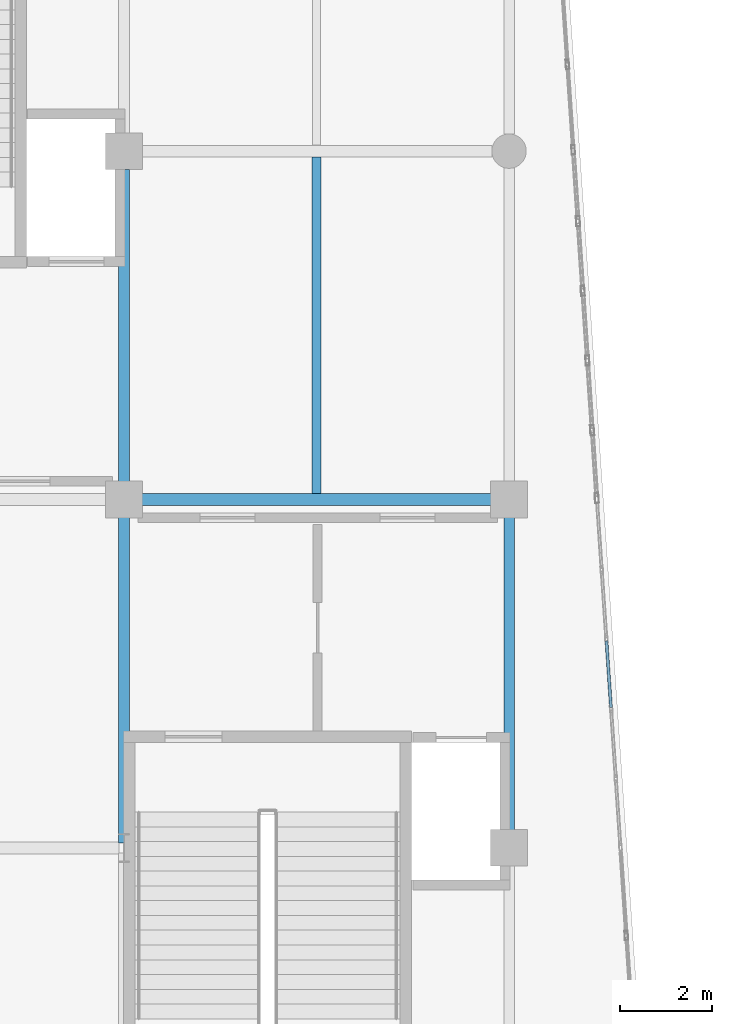
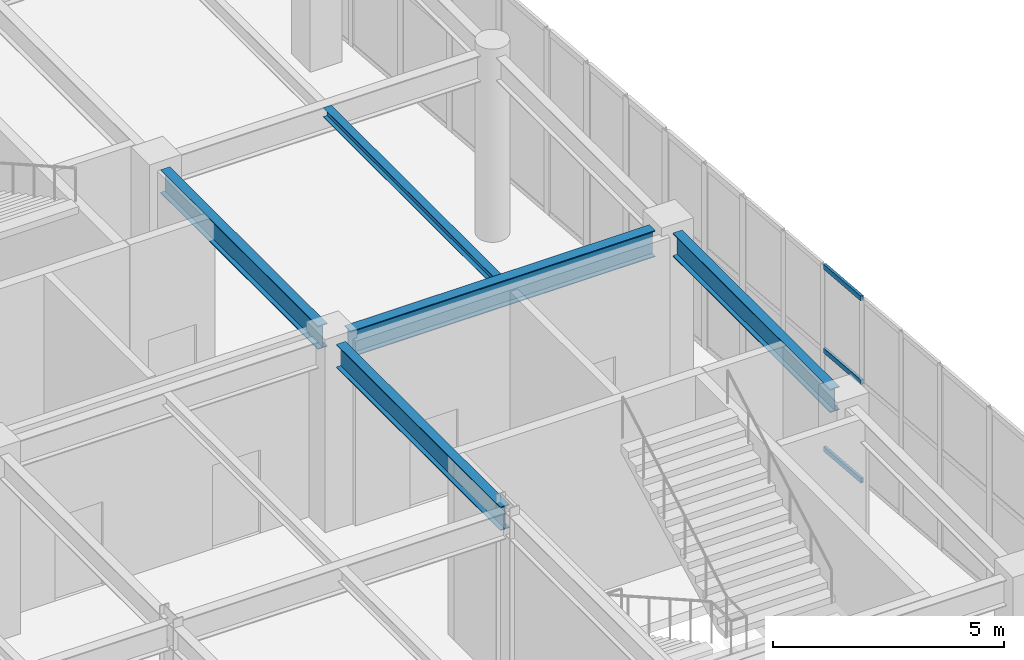
# One storey, part 24 of 128: 5 beams, 3 members, 1 element without a shape of its own.
"""IFC4 building model written with IfcOpenShell, lengths in metres."""

from ifc_helpers import new_model, si_unit, direction, frame, origin, origin_2d, place, context, subcontext, project, spatial, hollow_rectangle, i_section, extrude, material, layer, layer_set, material_profile, profile_set, type_object, element, aggregate, save


model = new_model("IFC4")

# Units and contexts
model_context = context("Model", 3, precision=1e-05, world=origin(), true_north=direction((0.0, 1.0)))
body_context = subcontext(model_context, "Body", "Model", "MODEL_VIEW")
ifc_project = project(units=[si_unit("LENGTHUNIT", "METRE"), si_unit("AREAUNIT", "SQUARE_METRE"), si_unit("VOLUMEUNIT", "CUBIC_METRE"), si_unit("PLANEANGLEUNIT", "RADIAN"), si_unit("MASSUNIT", "GRAM", prefix="KILO")], contexts=[model_context])

# Site, building, storey
site_placement = place(None, origin())
site = spatial("IfcSite", under=ifc_project, at=site_placement, CompositionType="ELEMENT")
building_placement = place(site_placement, origin())
building = spatial("IfcBuilding", under=site, at=building_placement, Name="Xicomal Pleat Aquarium", CompositionType="ELEMENT")
storey_placement = place(building_placement, frame((0.0, 0.0, 5.39990234375)))
storey = spatial("IfcBuildingStorey", under=building, at=storey_placement, Name="L02", CompositionType="ELEMENT", Elevation=5.39990234375)

# Beams
ifc_material_1 = material(Name="Structural steel A992 Gr 50", Category="steel")
ifc_material_profile_1 = material_profile(ifc_material_1, i_section(OverallWidth=0.201904296875, OverallDepth=0.2470703125, WebThickness=0.00732421875, FlangeThickness=0.010986328125, at=origin_2d()), Name="IR 250x49")
ifc_profile_set_1 = profile_set([ifc_material_profile_1], Name="Structural steel A992 Gr 50")
beam_type_1 = type_object("IfcBeamType", Name="BM-STL-IR250", PredefinedType="JOIST", material=ifc_profile_set_1)
beam_1_placement = place(storey_placement, frame((22.800048828125, 60.930908203125, 4.751708984375), z_axis=(0.0, 1.0, 0.0), x_axis=(-1.0, 0.0, 0.0)))
element("IfcBeam", 1, at=beam_1_placement, inside=storey, type_object=beam_type_1, Name="L02 framing beam FBJ-L02-03-J-1", PredefinedType="JOIST", context=body_context, shape_type="SweptSolid", body=[
    extrude(i_section(OverallWidth=0.201904296875, OverallDepth=0.2470703125, WebThickness=0.00732421875, FlangeThickness=0.010986328125, at=origin_2d()), origin(), (0.0, 0.0, 1.0), 7.338134765625),
])
ifc_material_2 = material(Name="Structural steel A992 Gr 50", Category="steel")
ifc_material_profile_2 = material_profile(ifc_material_2, i_section(OverallWidth=0.22998046875, OverallDepth=0.616943359375, WebThickness=0.01318359375, FlangeThickness=0.022216796875, at=origin_2d()), Name="IR 610x140")
ifc_profile_set_2 = profile_set([ifc_material_profile_2], Name="Structural steel A992 Gr 50")
beam_type_2 = type_object("IfcBeamType", Name="BM-STL-IR610", PredefinedType="BEAM", material=ifc_profile_set_2)
beam_2_placement = place(storey_placement, frame((18.60009765625, 53.31005859375, 4.566650390625), z_axis=(0.0, 1.0, 0.0), x_axis=(-1.0, 0.0, 0.0)))
element("IfcBeam", 2, at=beam_2_placement, inside=storey, type_object=beam_type_2, Name="L02 framing beam FGY-L02-03-H-J", PredefinedType="BEAM", context=body_context, shape_type="SweptSolid", body=[
    extrude(i_section(OverallWidth=0.22998046875, OverallDepth=0.616943359375, WebThickness=0.01318359375, FlangeThickness=0.022216796875, at=origin_2d()), origin(), (0.0, 0.0, 1.0), 7.094970703125),
])
beam_3_placement = place(storey_placement, frame((18.60009765625, 61.195068359375, 4.566650390625), z_axis=(0.0, 1.0, 0.0), x_axis=(-1.0, 0.0, 0.0)))
element("IfcBeam", 3, at=beam_3_placement, inside=storey, type_object=beam_type_2, Name="L02 framing beam FGY-L02-03-J-K", PredefinedType="BEAM", context=body_context, shape_type="SweptSolid", body=[
    extrude(i_section(OverallWidth=0.22998046875, OverallDepth=0.616943359375, WebThickness=0.01318359375, FlangeThickness=0.022216796875, at=origin_2d()), origin(), (0.0, 0.0, 1.0), 6.809814453125),
])
beam_4_placement = place(storey_placement, frame((27.0, 53.594970703125, 4.566650390625), z_axis=(0.0, 1.0, 0.0), x_axis=(-1.0, 0.0, 0.0)))
element("IfcBeam", 4, at=beam_4_placement, inside=storey, type_object=beam_type_2, Name="L02 framing beam FGY-L02-04-H-J", PredefinedType="BEAM", context=body_context, shape_type="SweptSolid", body=[
    extrude(i_section(OverallWidth=0.22998046875, OverallDepth=0.616943359375, WebThickness=0.01318359375, FlangeThickness=0.022216796875, at=origin_2d()), origin(), (0.0, 0.0, 1.0), 6.81005859375),
])
ifc_material_3 = material(Name="Structural steel A992 Gr 50", Category="steel")
ifc_material_profile_3 = material_profile(ifc_material_3, i_section(OverallWidth=0.256103515625, OverallDepth=0.693115234375, WebThickness=0.014404296875, FlangeThickness=0.023681640625, at=origin_2d()), Name="IR 690x170")
ifc_profile_set_3 = profile_set([ifc_material_profile_3], Name="Structural steel A992 Gr 50")
beam_type_3 = type_object("IfcBeamType", Name="BM-STL-IR690", PredefinedType="BEAM", material=ifc_profile_set_3)
beam_5_placement = place(storey_placement, frame((18.9951171875, 60.800048828125, 4.528564453125), z_axis=(1.0, 0.0, 0.0), x_axis=(0.0, 1.0, 0.0)))
element("IfcBeam", 5, at=beam_5_placement, inside=storey, type_object=beam_type_3, Name="L02 framing beam FGX-L02-03-04-J", PredefinedType="BEAM", context=body_context, shape_type="SweptSolid", body=[
    extrude(i_section(OverallWidth=0.256103515625, OverallDepth=0.693115234375, WebThickness=0.014404296875, FlangeThickness=0.023681640625, at=origin_2d()), origin(), (0.0, 0.0, 1.0), 7.60986328125),
])

# Curtain wall, members
ifc_material_4 = material(Name="Bronze anodized aluminium 6063-T6", Category="aluminium")
ifc_layer = layer(ifc_material_4, 0.159912109375)
ifc_layer_set = layer_set([ifc_layer], Name="Bronze anodized aluminium 6063-T6")
curtain_wall_type = type_object("IfcCurtainWallType", Name="CW-SYS-02", PredefinedType="NOTDEFINED", material=ifc_layer_set)
curtain_wall_placement = place(storey_placement, origin())
curtain_wall = element("IfcCurtainWall", 6, at=curtain_wall_placement, inside=storey, type_object=curtain_wall_type, Name="L02 unitised curtain wall CW-L02-135", PredefinedType="NOTDEFINED")
ifc_material_5 = material(Name="Bronze anodized aluminium 6063-T6", Category="aluminium")
ifc_material_profile_4 = material_profile(ifc_material_5, hollow_rectangle(XDim=0.06494140625, YDim=0.1298828125, WallThickness=0.00390625, at=origin_2d()), Name="ALU TRAN 65x130")
ifc_profile_set_4 = profile_set([ifc_material_profile_4], Name="Bronze anodized aluminium 6063-T6")
member_type = type_object("IfcMemberType", Name="CWT-65x130", PredefinedType="USERDEFINED", material=ifc_profile_set_4)
member_1_placement = place(storey_placement, frame((29.124755859375, 57.718505859375, 0.03271484375), z_axis=(0.067463400183, -0.997721749605, 0.0), x_axis=(0.997721749605, 0.067463400183, 0.0)))
member_1 = element("IfcMember", 7, at=member_1_placement, type_object=member_type, Name="CW-02 transom 3.1", ObjectType="TRANSOM", PredefinedType="USERDEFINED", context=body_context, shape_type="SweptSolid", body=[
    extrude(hollow_rectangle(XDim=0.06494140625, YDim=0.1298828125, WallThickness=0.00390625, at=origin_2d()), origin(), (0.0, 0.0, 1.0), 1.45849609375),
])
member_2_placement = place(storey_placement, frame((29.124755859375, 57.718505859375, 2.633056640625), z_axis=(0.067463400183, -0.997721749605, 0.0), x_axis=(0.997721749605, 0.067463400183, 0.0)))
member_2 = element("IfcMember", 8, at=member_2_placement, type_object=member_type, Name="CW-02 transom 3.2", ObjectType="TRANSOM", PredefinedType="USERDEFINED", context=body_context, shape_type="SweptSolid", body=[
    extrude(hollow_rectangle(XDim=0.06494140625, YDim=0.1298828125, WallThickness=0.00390625, at=origin_2d()), origin(), (0.0, 0.0, 1.0), 1.45849609375),
])
member_3_placement = place(storey_placement, frame((29.124755859375, 57.718505859375, 4.842529296875), z_axis=(0.067463400183, -0.997721749605, 0.0), x_axis=(0.997721749605, 0.067463400183, 0.0)))
member_3 = element("IfcMember", 9, at=member_3_placement, type_object=member_type, Name="CW-02 transom 3.3", ObjectType="TRANSOM", PredefinedType="USERDEFINED", context=body_context, shape_type="SweptSolid", body=[
    extrude(hollow_rectangle(XDim=0.06494140625, YDim=0.1298828125, WallThickness=0.00390625, at=origin_2d()), origin(), (0.0, 0.0, 1.0), 1.45849609375),
])
aggregate(curtain_wall, [member_1, member_2, member_3])

save(model, "model.ifc")
